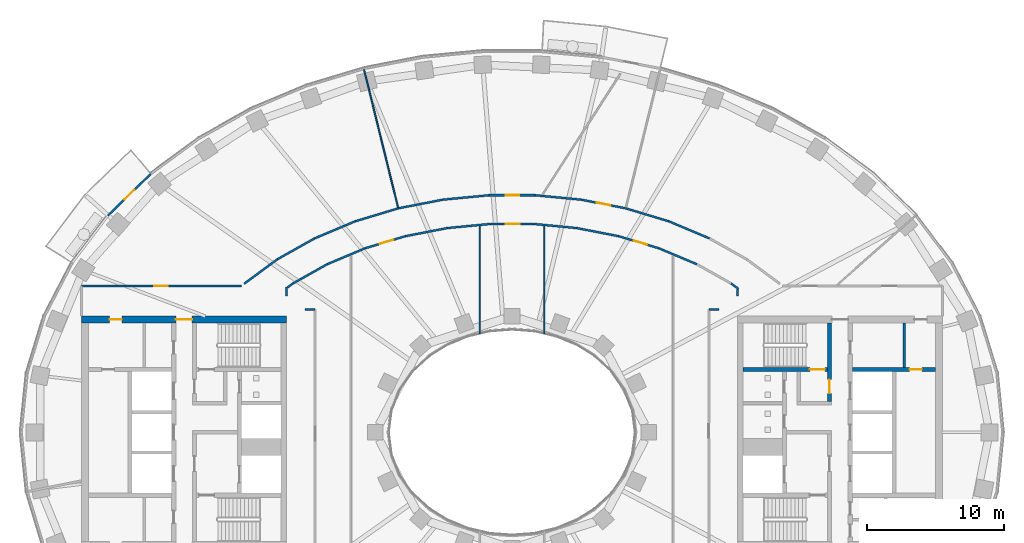
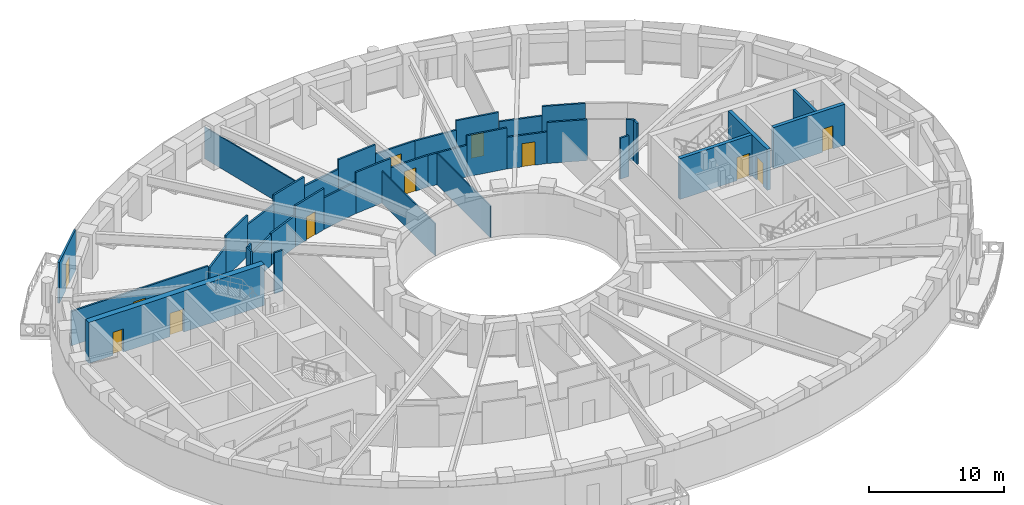
# One storey, part 6 of 16: 37 walls, 12 doors, 12 openings.
"""IFC4 building model written with IfcOpenShell, lengths in metres."""

from ifc_helpers import new_model, si_unit, direction, frame, frame_2d, origin, place, context, subcontext, project, spatial, rectangle, extrude, material, layer, layer_set, type_object, element, fill, save


model = new_model("IFC4")

# Units and contexts
model_context = context("Model", 3, precision=1e-05, world=origin(), true_north=direction((0.0, 1.0)))
body_context = subcontext(model_context, "Body", "Model", "MODEL_VIEW")
ifc_project = project(units=[si_unit("LENGTHUNIT", "METRE"), si_unit("AREAUNIT", "SQUARE_METRE"), si_unit("VOLUMEUNIT", "CUBIC_METRE"), si_unit("PLANEANGLEUNIT", "RADIAN"), si_unit("MASSUNIT", "GRAM", prefix="KILO")], contexts=[model_context])

# Site, building, storey
site_placement = place(None, origin())
site = spatial("IfcSite", under=ifc_project, at=site_placement, CompositionType="ELEMENT")
building_placement = place(site_placement, origin())
building = spatial("IfcBuilding", under=site, at=building_placement, Name="Noorbagh Ring Tower", CompositionType="ELEMENT")
storey_placement = place(building_placement, frame((0.0, 0.0, 136.0)))
storey = spatial("IfcBuildingStorey", under=building, at=storey_placement, Name="L31", CompositionType="ELEMENT", Elevation=136.0)

# Wall
ifc_material_1 = material(Name="Gypsum board on steel studs", Category="steel")
ifc_layer_1 = layer(ifc_material_1, 0.199951171875)
ifc_layer_set_1 = layer_set([ifc_layer_1], Name="Gypsum board on steel studs")
wall_type_1 = type_object("IfcWallType", Name="CORE-PARTITION-200", PredefinedType="PARTITIONING", material=ifc_layer_set_1)
wall_1_placement = place(storey_placement, frame((28.699951171875, 4.75, 0.0), z_axis=(0.0, 0.0, 1.0), x_axis=(0.0, 1.0, 0.0)))
element("IfcWall", 1, at=wall_1_placement, inside=storey, type_object=wall_type_1, Name="Core partition E", PredefinedType="PARTITIONING", context=body_context, shape_type="SweptSolid", body=[
    extrude(rectangle(XDim=3.25, YDim=0.199951171875, at=frame_2d((1.625, 0.0))), origin(), (0.0, 0.0, 1.0), 3.699951171875),
])

# Wall, opening, door
ifc_material_2 = material(Name="Concrete C70/85", Category="concrete")
ifc_layer_2 = layer(ifc_material_2, 0.300048828125)
ifc_layer_set_2 = layer_set([ifc_layer_2], Name="Concrete C70/85")
wall_type_2 = type_object("IfcWallType", Name="CORE-WALL-300-C70-85-EI240", PredefinedType="SHEAR", material=ifc_layer_set_2)
wall_2_placement = place(storey_placement, frame((24.89990234375, 4.60009765625, 0.0), z_axis=(0.0, 0.0, 1.0), x_axis=(1.0, 0.0, 0.0)))
wall_2 = element("IfcWall", 2, at=wall_2_placement, inside=storey, type_object=wall_type_2, Name="Core wall E", PredefinedType="SHEAR", context=body_context, shape_type="SweptSolid", body=[
    extrude(rectangle(XDim=6.10009765625, YDim=0.300048828125, at=frame_2d((3.050048828125, 0.0))), origin(), (0.0, 0.0, 1.0), 3.699951171875),
])
opening_1_placement = place(wall_2_placement, frame((4.199951171875, 0.0, 0.0)))
opening_1 = element("IfcOpeningElement", 3, at=opening_1_placement, cuts=wall_2, Name="Opening L31-CE18", PredefinedType="OPENING", context=body_context, shape_type="SweptSolid", body=[
    extrude(rectangle(XDim=0.89990234375, YDim=2.10009765625, at=frame_2d((0.449951171875, 1.050048828125))), frame((0.0, 0.16015625, 0.0), z_axis=(0.0, -1.0, 0.0), x_axis=(1.0, 0.0, 0.0)), (0.0, 0.0, 1.0), 0.320068359375),
])
ifc_material_3 = material(Name="Steel door leaf", Category="steel")
door_type_1 = type_object("IfcDoorType", Name="CORE-DOOR-DROOM", OperationType="SINGLE_SWING_LEFT", PredefinedType="DOOR", material=ifc_material_3)
door_1_placement = place(opening_1_placement, origin())
door_1 = element("IfcDoor", 4, at=door_1_placement, inside=storey, type_object=door_type_1, Name="Core room door L31-CE18", OperationType="SINGLE_SWING_RIGHT", OverallHeight=2.10009765625, OverallWidth=0.89990234375, PredefinedType="DOOR", context=body_context, shape_type="SweptSolid", body=[
    extrude(rectangle(XDim=0.89990234375, YDim=2.10009765625, at=frame_2d((0.449951171875, 1.050048828125))), frame((0.0, 0.02490234375, 0.0), z_axis=(0.0, -1.0, 0.0), x_axis=(1.0, 0.0, 0.0)), (0.0, 0.0, 1.0), 0.050048828125),
])
fill(opening_1, door_1)

wall_3_placement = place(storey_placement, frame((23.22998046875, 2.25, 0.0), z_axis=(0.0, 0.0, 1.0), x_axis=(0.0, 1.0, 0.0)))
wall_3 = element("IfcWall", 5, at=wall_3_placement, inside=storey, type_object=wall_type_2, Name="Core wall E", PredefinedType="SHEAR", context=body_context, shape_type="SweptSolid", body=[
    extrude(rectangle(XDim=5.75, YDim=0.300048828125, at=frame_2d((2.875, 0.0))), origin(), (0.0, 0.0, 1.0), 3.699951171875),
])
opening_2_placement = place(wall_3_placement, frame((0.60009765625, 0.0, 0.0)))
opening_2 = element("IfcOpeningElement", 6, at=opening_2_placement, cuts=wall_3, Name="Opening L31-CE08", PredefinedType="OPENING", context=body_context, shape_type="SweptSolid", body=[
    extrude(rectangle(XDim=1.0, YDim=2.10009765625, at=frame_2d((0.5, 1.050048828125))), frame((0.0, 0.16015625, 0.0), z_axis=(0.0, -1.0, 0.0), x_axis=(1.0, 0.0, 0.0)), (0.0, 0.0, 1.0), 0.320068359375),
])
ifc_material_4 = material(Name="Steel door leaf", Category="steel")
door_type_2 = type_object("IfcDoorType", Name="CORE-DOOR-DVEST", OperationType="SINGLE_SWING_LEFT", PredefinedType="DOOR", material=ifc_material_4)
door_2_placement = place(opening_2_placement, origin())
door_2 = element("IfcDoor", 7, at=door_2_placement, inside=storey, type_object=door_type_2, Name="Stair vestibule door L31-CE08", OperationType="SINGLE_SWING_RIGHT", OverallHeight=2.10009765625, OverallWidth=1.0, PredefinedType="DOOR", context=body_context, shape_type="SweptSolid", body=[
    extrude(rectangle(XDim=1.0, YDim=2.10009765625, at=frame_2d((0.5, 1.050048828125))), frame((0.0, 0.02490234375, 0.0), z_axis=(0.0, -1.0, 0.0), x_axis=(1.0, 0.0, 0.0)), (0.0, 0.0, 1.0), 0.050048828125),
])
fill(opening_2, door_2)

wall_4_placement = place(storey_placement, frame((16.89990234375, 4.60009765625, 0.0), z_axis=(0.0, 0.0, 1.0), x_axis=(1.0, 0.0, 0.0)))
wall_4 = element("IfcWall", 8, at=wall_4_placement, inside=storey, type_object=wall_type_2, Name="Core wall E", PredefinedType="SHEAR", context=body_context, shape_type="SweptSolid", body=[
    extrude(rectangle(XDim=6.18017578125, YDim=0.300048828125, at=frame_2d((3.090087890625, 0.0))), origin(), (0.0, 0.0, 1.0), 3.699951171875),
])
opening_3_placement = place(wall_4_placement, frame((4.89990234375, 0.0, 0.0)))
opening_3 = element("IfcOpeningElement", 9, at=opening_3_placement, cuts=wall_4, Name="Opening L31-CE05", PredefinedType="OPENING", context=body_context, shape_type="SweptSolid", body=[
    extrude(rectangle(XDim=1.10009765625, YDim=2.10009765625, at=frame_2d((0.550048828125, 1.050048828125))), frame((0.0, 0.16015625, 0.0), z_axis=(0.0, -1.0, 0.0), x_axis=(1.0, 0.0, 0.0)), (0.0, 0.0, 1.0), 0.320068359375),
])
ifc_material_5 = material(Name="Steel door leaf", Category="steel")
door_type_3 = type_object("IfcDoorType", Name="CORE-DOOR-DSTAIR", OperationType="SINGLE_SWING_LEFT", PredefinedType="DOOR", material=ifc_material_5)
door_3_placement = place(opening_3_placement, origin())
door_3 = element("IfcDoor", 10, at=door_3_placement, inside=storey, type_object=door_type_3, Name="Stair door ST3 L31-CE05", OperationType="SINGLE_SWING_LEFT", OverallHeight=2.10009765625, OverallWidth=1.10009765625, PredefinedType="DOOR", context=body_context, shape_type="SweptSolid", body=[
    extrude(rectangle(XDim=1.10009765625, YDim=2.10009765625, at=frame_2d((0.550048828125, 1.050048828125))), frame((0.0, 0.02490234375, 0.0), z_axis=(0.0, -1.0, 0.0), x_axis=(1.0, 0.0, 0.0)), (0.0, 0.0, 1.0), 0.050048828125),
])
fill(opening_3, door_3)

# Wall, openings, doors
ifc_material_6 = material(Name="Concrete C70/85", Category="concrete")
ifc_layer_3 = layer(ifc_material_6, 0.5)
ifc_layer_set_3 = layer_set([ifc_layer_3], Name="Concrete C70/85")
wall_type_3 = type_object("IfcWallType", Name="CORE-WALL-500-C70-85-EI240", PredefinedType="SHEAR", material=ifc_layer_set_3)
wall_5_placement = place(storey_placement, frame((-16.5, 8.25, 0.0), z_axis=(0.0, 0.0, 1.0), x_axis=(-1.0, 0.0, 0.0)))
wall_5 = element("IfcWall", 11, at=wall_5_placement, inside=storey, type_object=wall_type_3, Name="Core wall W", PredefinedType="SHEAR", context=body_context, shape_type="SweptSolid", body=[
    extrude(rectangle(XDim=15.0, YDim=0.5, at=frame_2d((7.5, 0.0))), origin(), (0.0, 0.0, 1.0), 3.699951171875),
])
opening_4_placement = place(wall_5_placement, frame((6.89990234375, 0.0, 0.0)))
opening_4 = element("IfcOpeningElement", 12, at=opening_4_placement, cuts=wall_5, Name="Opening L31-CW09", PredefinedType="OPENING", context=body_context, shape_type="SweptSolid", body=[
    extrude(rectangle(XDim=1.199951171875, YDim=2.10009765625, at=frame_2d((0.60009765625, 1.050048828125))), frame((0.0, 0.260009765625, 0.0), z_axis=(0.0, -1.0, 0.0), x_axis=(1.0, 0.0, 0.0)), (0.0, 0.0, 1.0), 0.52001953125),
])
opening_5_placement = place(wall_5_placement, frame((12.050048828125, 0.0, 0.0)))
opening_5 = element("IfcOpeningElement", 13, at=opening_5_placement, cuts=wall_5, Name="Opening L31-CW13", PredefinedType="OPENING", context=body_context, shape_type="SweptSolid", body=[
    extrude(rectangle(XDim=0.89990234375, YDim=2.10009765625, at=frame_2d((0.449951171875, 1.050048828125))), frame((0.0, 0.260009765625, 0.0), z_axis=(0.0, -1.0, 0.0), x_axis=(1.0, 0.0, 0.0)), (0.0, 0.0, 1.0), 0.52001953125),
])
door_4_placement = place(opening_5_placement, origin())
door_4 = element("IfcDoor", 14, at=door_4_placement, inside=storey, type_object=door_type_1, Name="Core room door L31-CW13", OperationType="SINGLE_SWING_RIGHT", OverallHeight=2.10009765625, OverallWidth=0.89990234375, PredefinedType="DOOR", context=body_context, shape_type="SweptSolid", body=[
    extrude(rectangle(XDim=0.89990234375, YDim=2.10009765625, at=frame_2d((0.449951171875, 1.050048828125))), frame((0.0, 0.02490234375, 0.0), z_axis=(0.0, -1.0, 0.0), x_axis=(1.0, 0.0, 0.0)), (0.0, 0.0, 1.0), 0.050048828125),
])
fill(opening_5, door_4)
ifc_material_7 = material(Name="Steel door leaf", Category="steel")
door_type_4 = type_object("IfcDoorType", Name="CORE-DOOR-PORT", OperationType="DOUBLE_DOOR_DOUBLE_SWING", PredefinedType="DOOR", material=ifc_material_7)
door_5_placement = place(opening_4_placement, origin())
door_5 = element("IfcDoor", 15, at=door_5_placement, inside=storey, type_object=door_type_4, Name="Core entrance door L31-CW09", OperationType="DOUBLE_DOOR_DOUBLE_SWING", OverallHeight=2.10009765625, OverallWidth=1.199951171875, PredefinedType="DOOR", context=body_context, shape_type="SweptSolid", body=[
    extrude(rectangle(XDim=1.199951171875, YDim=2.10009765625, at=frame_2d((0.60009765625, 1.050048828125))), frame((0.0, 0.02490234375, 0.0), z_axis=(0.0, -1.0, 0.0), x_axis=(1.0, 0.0, 0.0)), (0.0, 0.0, 1.0), 0.050048828125),
])
fill(opening_4, door_5)

# Wall, opening, door
ifc_material_8 = material(Name="Gypsum board on steel studs", Category="steel")
ifc_layer_4 = layer(ifc_material_8, 0.14990234375)
ifc_layer_set_4 = layer_set([ifc_layer_4], Name="Gypsum board on steel studs")
wall_type_4 = type_object("IfcWallType", Name="CORRIDOR PARTITION 150 EI 30", PredefinedType="PARTITIONING", material=ifc_layer_set_4)
wall_6_placement = place(storey_placement, frame((-31.5, 10.699951171875, 0.0), z_axis=(0.0, 0.0, 1.0), x_axis=(1.0, 0.0, 0.0)))
wall_6 = element("IfcWall", 16, at=wall_6_placement, inside=storey, type_object=wall_type_4, Name="L31/wall/P06", PredefinedType="PARTITIONING", context=body_context, shape_type="SweptSolid", body=[
    extrude(rectangle(XDim=11.722900390625, YDim=0.14990234375, at=frame_2d((5.861328125, 0.0))), origin(), (0.0, 0.0, 1.0), 3.10009765625),
])
opening_6_placement = place(wall_6_placement, frame((5.322998046875, 0.0, 0.0)))
opening_6 = element("IfcOpeningElement", 17, at=opening_6_placement, cuts=wall_6, Name="Opening D1", PredefinedType="OPENING", context=body_context, shape_type="SweptSolid", body=[
    extrude(rectangle(XDim=1.0, YDim=2.10009765625, at=frame_2d((0.5, 1.050048828125))), frame((0.0, 0.0849609375, 0.0), z_axis=(0.0, -1.0, 0.0), x_axis=(1.0, 0.0, 0.0)), (0.0, 0.0, 1.0), 0.169921875),
])
ifc_material_9 = material(Name="Timber, painted", Category="wood")
door_type_5 = type_object("IfcDoorType", Name="DOOR 1000 X 2100 FD30", OperationType="SINGLE_SWING_LEFT", PredefinedType="DOOR", material=ifc_material_9)
door_6_placement = place(opening_6_placement, origin())
door_6 = element("IfcDoor", 18, at=door_6_placement, inside=storey, type_object=door_type_5, Name="L31-D06", OperationType="SINGLE_SWING_RIGHT", OverallHeight=2.10009765625, OverallWidth=1.0, PredefinedType="DOOR", context=body_context, shape_type="SweptSolid", body=[
    extrude(rectangle(XDim=1.0, YDim=2.10009765625, at=frame_2d((0.5, 1.050048828125))), frame((0.0, 0.02490234375, 0.0), z_axis=(0.0, -1.0, 0.0), x_axis=(1.0, 0.0, 0.0)), (0.0, 0.0, 1.0), 0.050048828125),
])
fill(opening_6, door_6)

# Walls
wall_7_placement = place(storey_placement, frame((-19.594970703125, 10.876953125, 0.0), z_axis=(0.0, 0.0, 1.0), x_axis=(0.805151708762, 0.593068904831, 0.0)))
element("IfcWall", 19, at=wall_7_placement, inside=storey, type_object=wall_type_4, Name="L31/wall/P16", PredefinedType="PARTITIONING", context=body_context, shape_type="SweptSolid", body=[
    extrude(rectangle(XDim=3.008056640625, YDim=0.14990234375, at=frame_2d((1.50390625, 0.0))), origin(), (0.0, 0.0, 1.0), 2.75),
])
wall_8_placement = place(storey_placement, frame((-17.173095703125, 12.660888671875, 0.0), z_axis=(0.0, 0.0, 1.0), x_axis=(0.872054495499, 0.489408783003, 0.0)))
element("IfcWall", 20, at=wall_8_placement, inside=storey, type_object=wall_type_4, Name="L31/wall/P18", PredefinedType="PARTITIONING", context=body_context, shape_type="SweptSolid", body=[
    extrude(rectangle(XDim=3.128173828125, YDim=0.14990234375, at=frame_2d((1.56396484375, 0.0))), origin(), (0.0, 0.0, 1.0), 3.699951171875),
])
wall_9_placement = place(storey_placement, frame((-16.5, 9.964111328125, 0.0), z_axis=(0.0, 0.0, 1.0), x_axis=(0.0, 1.0, 0.0)))
element("IfcWall", 21, at=wall_9_placement, inside=storey, type_object=wall_type_4, Name="L31/wall/P21", PredefinedType="PARTITIONING", context=body_context, shape_type="SweptSolid", body=[
    extrude(rectangle(XDim=0.677978515625, YDim=0.14990234375, at=frame_2d((0.3388671875, 0.0))), origin(), (0.0, 0.0, 1.0), 3.699951171875),
])
wall_10_placement = place(storey_placement, frame((-16.425048828125, 10.60400390625, 0.0), z_axis=(0.0, 0.0, 1.0), x_axis=(0.805608867586, 0.592447763492, 0.0)))
element("IfcWall", 22, at=wall_10_placement, inside=storey, type_object=wall_type_4, Name="L31/wall/P22", PredefinedType="PARTITIONING", context=body_context, shape_type="SweptSolid", body=[
    extrude(rectangle(XDim=0.48779296875, YDim=0.14990234375, at=frame_2d((0.243896484375, 0.0))), origin(), (0.0, 0.0, 1.0), 3.699951171875),
])
wall_11_placement = place(storey_placement, frame((-16.031982421875, 10.89306640625, 0.0), z_axis=(0.0, 0.0, 1.0), x_axis=(0.871948863789, 0.489596955604, 0.0)))
element("IfcWall", 23, at=wall_11_placement, inside=storey, type_object=wall_type_4, Name="L31/wall/P24", PredefinedType="PARTITIONING", context=body_context, shape_type="SweptSolid", body=[
    extrude(rectangle(XDim=2.879638671875, YDim=0.14990234375, at=frame_2d((1.43994140625, 0.0))), origin(), (0.0, 0.0, 1.0), 2.75),
])
wall_12_placement = place(storey_placement, frame((-15.134033203125, 9.0, 0.0), z_axis=(0.0, 0.0, 1.0), x_axis=(1.0, 0.0, 0.0)))
element("IfcWall", 24, at=wall_12_placement, inside=storey, type_object=wall_type_4, Name="L31/wall/P26", PredefinedType="PARTITIONING", context=body_context, shape_type="SweptSolid", body=[
    extrude(rectangle(XDim=0.734130859375, YDim=0.14990234375, at=frame_2d((0.3671875, 0.0))), origin(), (0.0, 0.0, 1.0), 3.699951171875),
])
wall_13_placement = place(storey_placement, frame((-14.445068359375, 14.19189453125, 0.0), z_axis=(0.0, 0.0, 1.0), x_axis=(0.921794929211, 0.387677841101, 0.0)))
element("IfcWall", 25, at=wall_13_placement, inside=storey, type_object=wall_type_4, Name="L31/wall/P28", PredefinedType="PARTITIONING", context=body_context, shape_type="SweptSolid", body=[
    extrude(rectangle(XDim=3.224365234375, YDim=0.14990234375, at=frame_2d((1.6123046875, 0.0))), origin(), (0.0, 0.0, 1.0), 2.85009765625),
])
wall_14_placement = place(storey_placement, frame((-13.52099609375, 12.302978515625, 0.0), z_axis=(0.0, 0.0, 1.0), x_axis=(0.921848667289, 0.387550041438, 0.0)))
element("IfcWall", 26, at=wall_14_placement, inside=storey, type_object=wall_type_4, Name="L31/wall/P31", PredefinedType="PARTITIONING", context=body_context, shape_type="SweptSolid", body=[
    extrude(rectangle(XDim=2.992919921875, YDim=0.14990234375, at=frame_2d((1.49658203125, 0.0))), origin(), (0.0, 0.0, 1.0), 2.85009765625),
])
wall_15_placement = place(storey_placement, frame((-11.472900390625, 15.44189453125, 0.0), z_axis=(0.0, 0.0, 1.0), x_axis=(0.957575426962, 0.288182757429, 0.0)))
element("IfcWall", 27, at=wall_15_placement, inside=storey, type_object=wall_type_4, Name="L31/wall/P34", PredefinedType="PARTITIONING", context=body_context, shape_type="SweptSolid", body=[
    extrude(rectangle(XDim=3.272705078125, YDim=0.14990234375, at=frame_2d((1.63623046875, 0.0))), origin(), (0.0, 0.0, 1.0), 3.699951171875),
])

# Wall, opening, door
wall_16_placement = place(storey_placement, frame((-10.761962890625, 13.462890625, 0.0), z_axis=(0.0, 0.0, 1.0), x_axis=(0.957609782402, 0.288068576292, 0.0)))
wall_16 = element("IfcWall", 28, at=wall_16_placement, inside=storey, type_object=wall_type_4, Name="L31/wall/P37", PredefinedType="PARTITIONING", context=body_context, shape_type="SweptSolid", body=[
    extrude(rectangle(XDim=3.076416015625, YDim=0.14990234375, at=frame_2d((1.5380859375, 0.0))), origin(), (0.0, 0.0, 1.0), 3.699951171875),
])
opening_7_placement = place(wall_16_placement, frame((1.14990234375, 0.0, 0.0)))
opening_7 = element("IfcOpeningElement", 29, at=opening_7_placement, cuts=wall_16, Name="Opening D1", PredefinedType="OPENING", context=body_context, shape_type="SweptSolid", body=[
    extrude(rectangle(XDim=1.0, YDim=2.10009765625, at=frame_2d((0.5, 1.050048828125))), frame((0.0, 0.0849609375, 0.0), z_axis=(0.0, -1.0, 0.0), x_axis=(1.0, 0.0, 0.0)), (0.0, 0.0, 1.0), 0.169921875),
])
door_7_placement = place(opening_7_placement, origin())
door_7 = element("IfcDoor", 30, at=door_7_placement, inside=storey, type_object=door_type_5, Name="L31-D15", OperationType="SINGLE_SWING_LEFT", OverallHeight=2.10009765625, OverallWidth=1.0, PredefinedType="DOOR", context=body_context, shape_type="SweptSolid", body=[
    extrude(rectangle(XDim=1.0, YDim=2.10009765625, at=frame_2d((0.5, 1.050048828125))), frame((0.0, 0.02490234375, 0.0), z_axis=(0.0, -1.0, 0.0), x_axis=(1.0, 0.0, 0.0)), (0.0, 0.0, 1.0), 0.050048828125),
])
fill(opening_7, door_7)

# Walls
wall_17_placement = place(storey_placement, frame((-8.301025390625, 16.39501953125, 0.0), z_axis=(0.0, 0.0, 1.0), x_axis=(0.98166242116, 0.19062762361, 0.0)))
element("IfcWall", 31, at=wall_17_placement, inside=storey, type_object=wall_type_4, Name="L31/wall/P39", PredefinedType="PARTITIONING", context=body_context, shape_type="SweptSolid", body=[
    extrude(rectangle(XDim=3.32080078125, YDim=0.14990234375, at=frame_2d((1.660400390625, 0.0))), origin(), (0.0, 0.0, 1.0), 2.85009765625),
])
wall_18_placement = place(storey_placement, frame((-7.81591796875, 14.34912109375, 0.0), z_axis=(0.0, 0.0, 1.0), x_axis=(0.981627147181, 0.190809181955, 0.0)))
element("IfcWall", 32, at=wall_18_placement, inside=storey, type_object=wall_type_4, Name="L31/wall/P41", PredefinedType="PARTITIONING", context=body_context, shape_type="SweptSolid", body=[
    extrude(rectangle(XDim=3.133544921875, YDim=0.14990234375, at=frame_2d((1.56689453125, 0.0))), origin(), (0.0, 0.0, 1.0), 2.85009765625),
])
wall_19_placement = place(storey_placement, frame((-5.041015625, 17.028076171875, 0.0), z_axis=(0.0, 0.0, 1.0), x_axis=(0.99548178004, 0.094952754613, 0.0)))
element("IfcWall", 33, at=wall_19_placement, inside=storey, type_object=wall_type_4, Name="L31/wall/P43", PredefinedType="PARTITIONING", context=body_context, shape_type="SweptSolid", body=[
    extrude(rectangle(XDim=3.3681640625, YDim=0.14990234375, at=frame_2d((1.68408203125, 0.0))), origin(), (0.0, 0.0, 1.0), 3.699951171875),
])
wall_20_placement = place(storey_placement, frame((-4.739990234375, 14.947021484375, 0.0), z_axis=(0.0, 0.0, 1.0), x_axis=(0.995467349369, 0.095103923894, 0.0)))
element("IfcWall", 34, at=wall_20_placement, inside=storey, type_object=wall_type_4, Name="L31/wall/P45", PredefinedType="PARTITIONING", context=body_context, shape_type="SweptSolid", body=[
    extrude(rectangle(XDim=3.165283203125, YDim=0.14990234375, at=frame_2d((1.58251953125, 0.0))), origin(), (0.0, 0.0, 1.0), 3.699951171875),
])

# Wall, opening, door
wall_21_placement = place(storey_placement, frame((-1.68798828125, 17.347900390625, 0.0), z_axis=(0.0, 0.0, 1.0), x_axis=(1.0, 0.0, 0.0)))
wall_21 = element("IfcWall", 35, at=wall_21_placement, inside=storey, type_object=wall_type_4, Name="L31/wall/P51", PredefinedType="PARTITIONING", context=body_context, shape_type="SweptSolid", body=[
    extrude(rectangle(XDim=3.3759765625, YDim=0.14990234375, at=frame_2d((1.68798828125, 0.0))), origin(), (0.0, 0.0, 1.0), 2.85009765625),
])
opening_8_placement = place(wall_21_placement, frame((1.22607421875, 0.0, 0.0)))
opening_8 = element("IfcOpeningElement", 36, at=opening_8_placement, cuts=wall_21, Name="Opening D1", PredefinedType="OPENING", context=body_context, shape_type="SweptSolid", body=[
    extrude(rectangle(XDim=1.0, YDim=2.10009765625, at=frame_2d((0.5, 1.050048828125))), frame((0.0, 0.0849609375, 0.0), z_axis=(0.0, -1.0, 0.0), x_axis=(1.0, 0.0, 0.0)), (0.0, 0.0, 1.0), 0.169921875),
])
door_8_placement = place(opening_8_placement, origin())
door_8 = element("IfcDoor", 37, at=door_8_placement, inside=storey, type_object=door_type_5, Name="L31-D08", OperationType="SINGLE_SWING_RIGHT", OverallHeight=2.10009765625, OverallWidth=1.0, PredefinedType="DOOR", context=body_context, shape_type="SweptSolid", body=[
    extrude(rectangle(XDim=1.0, YDim=2.10009765625, at=frame_2d((0.5, 1.050048828125))), frame((0.0, 0.02490234375, 0.0), z_axis=(0.0, -1.0, 0.0), x_axis=(1.0, 0.0, 0.0)), (0.0, 0.0, 1.0), 0.050048828125),
])
fill(opening_8, door_8)

wall_22_placement = place(storey_placement, frame((-1.589111328125, 15.248046875, 0.0), z_axis=(0.0, 0.0, 1.0), x_axis=(1.0, 0.0, 0.0)))
wall_22 = element("IfcWall", 38, at=wall_22_placement, inside=storey, type_object=wall_type_4, Name="L31/wall/P53", PredefinedType="PARTITIONING", context=body_context, shape_type="SweptSolid", body=[
    extrude(rectangle(XDim=3.17822265625, YDim=0.14990234375, at=frame_2d((1.589111328125, 0.0))), origin(), (0.0, 0.0, 1.0), 2.85009765625),
])
opening_9_placement = place(wall_22_placement, frame((1.14990234375, 0.0, 0.0)))
opening_9 = element("IfcOpeningElement", 39, at=opening_9_placement, cuts=wall_22, Name="Opening D1", PredefinedType="OPENING", context=body_context, shape_type="SweptSolid", body=[
    extrude(rectangle(XDim=1.0, YDim=2.10009765625, at=frame_2d((0.5, 1.050048828125))), frame((0.0, 0.0849609375, 0.0), z_axis=(0.0, -1.0, 0.0), x_axis=(1.0, 0.0, 0.0)), (0.0, 0.0, 1.0), 0.169921875),
])
door_9_placement = place(opening_9_placement, origin())
door_9 = element("IfcDoor", 40, at=door_9_placement, inside=storey, type_object=door_type_5, Name="L31-D17", OperationType="SINGLE_SWING_LEFT", OverallHeight=2.10009765625, OverallWidth=1.0, PredefinedType="DOOR", context=body_context, shape_type="SweptSolid", body=[
    extrude(rectangle(XDim=1.0, YDim=2.10009765625, at=frame_2d((0.5, 1.050048828125))), frame((0.0, 0.02490234375, 0.0), z_axis=(0.0, -1.0, 0.0), x_axis=(1.0, 0.0, 0.0)), (0.0, 0.0, 1.0), 0.050048828125),
])
fill(opening_9, door_9)

# Walls
wall_23_placement = place(storey_placement, frame((1.589111328125, 15.248046875, 0.0), z_axis=(0.0, 0.0, 1.0), x_axis=(0.995467349369, -0.095103923894, 0.0)))
element("IfcWall", 41, at=wall_23_placement, inside=storey, type_object=wall_type_4, Name="L31/wall/P56", PredefinedType="PARTITIONING", context=body_context, shape_type="SweptSolid", body=[
    extrude(rectangle(XDim=3.165283203125, YDim=0.14990234375, at=frame_2d((1.58251953125, 0.0))), origin(), (0.0, 0.0, 1.0), 2.85009765625),
])
wall_24_placement = place(storey_placement, frame((1.68798828125, 17.347900390625, 0.0), z_axis=(0.0, 0.0, 1.0), x_axis=(0.99548178004, -0.094952754613, 0.0)))
element("IfcWall", 42, at=wall_24_placement, inside=storey, type_object=wall_type_4, Name="L31/wall/P58", PredefinedType="PARTITIONING", context=body_context, shape_type="SweptSolid", body=[
    extrude(rectangle(XDim=3.3681640625, YDim=0.14990234375, at=frame_2d((1.68408203125, 0.0))), origin(), (0.0, 0.0, 1.0), 2.85009765625),
])
wall_25_placement = place(storey_placement, frame((4.739990234375, 14.947021484375, 0.0), z_axis=(0.0, 0.0, 1.0), x_axis=(0.981627147181, -0.190809181955, 0.0)))
element("IfcWall", 43, at=wall_25_placement, inside=storey, type_object=wall_type_4, Name="L31/wall/P63", PredefinedType="PARTITIONING", context=body_context, shape_type="SweptSolid", body=[
    extrude(rectangle(XDim=3.133544921875, YDim=0.14990234375, at=frame_2d((1.56689453125, 0.0))), origin(), (0.0, 0.0, 1.0), 3.699951171875),
])

# Wall, opening, door
wall_26_placement = place(storey_placement, frame((5.041015625, 17.028076171875, 0.0), z_axis=(0.0, 0.0, 1.0), x_axis=(0.98166242116, -0.19062762361, 0.0)))
wall_26 = element("IfcWall", 44, at=wall_26_placement, inside=storey, type_object=wall_type_4, Name="L31/wall/P65", PredefinedType="PARTITIONING", context=body_context, shape_type="SweptSolid", body=[
    extrude(rectangle(XDim=3.32080078125, YDim=0.14990234375, at=frame_2d((1.660400390625, 0.0))), origin(), (0.0, 0.0, 1.0), 3.699951171875),
])
opening_10_placement = place(wall_26_placement, frame((1.190185546875, 0.0, 0.0)))
opening_10 = element("IfcOpeningElement", 45, at=opening_10_placement, cuts=wall_26, Name="Opening D1", PredefinedType="OPENING", context=body_context, shape_type="SweptSolid", body=[
    extrude(rectangle(XDim=1.0, YDim=2.10009765625, at=frame_2d((0.5, 1.050048828125))), frame((0.0, 0.0849609375, 0.0), z_axis=(0.0, -1.0, 0.0), x_axis=(1.0, 0.0, 0.0)), (0.0, 0.0, 1.0), 0.169921875),
])
door_10_placement = place(opening_10_placement, origin())
door_10 = element("IfcDoor", 46, at=door_10_placement, inside=storey, type_object=door_type_5, Name="L31-D10", OperationType="SINGLE_SWING_RIGHT", OverallHeight=2.10009765625, OverallWidth=1.0, PredefinedType="DOOR", context=body_context, shape_type="SweptSolid", body=[
    extrude(rectangle(XDim=1.0, YDim=2.10009765625, at=frame_2d((0.5, 1.050048828125))), frame((0.0, 0.02490234375, 0.0), z_axis=(0.0, -1.0, 0.0), x_axis=(1.0, 0.0, 0.0)), (0.0, 0.0, 1.0), 0.050048828125),
])
fill(opening_10, door_10)

wall_27_placement = place(storey_placement, frame((7.81591796875, 14.34912109375, 0.0), z_axis=(0.0, 0.0, 1.0), x_axis=(0.957609782402, -0.288068576292, 0.0)))
wall_27 = element("IfcWall", 47, at=wall_27_placement, inside=storey, type_object=wall_type_4, Name="L31/wall/P67", PredefinedType="PARTITIONING", context=body_context, shape_type="SweptSolid", body=[
    extrude(rectangle(XDim=3.076416015625, YDim=0.14990234375, at=frame_2d((1.5380859375, 0.0))), origin(), (0.0, 0.0, 1.0), 2.85009765625),
])
opening_11_placement = place(wall_27_placement, frame((1.14990234375, 0.0, 0.0)))
opening_11 = element("IfcOpeningElement", 48, at=opening_11_placement, cuts=wall_27, Name="Opening D1", PredefinedType="OPENING", context=body_context, shape_type="SweptSolid", body=[
    extrude(rectangle(XDim=1.0, YDim=2.10009765625, at=frame_2d((0.5, 1.050048828125))), frame((0.0, 0.0849609375, 0.0), z_axis=(0.0, -1.0, 0.0), x_axis=(1.0, 0.0, 0.0)), (0.0, 0.0, 1.0), 0.169921875),
])
door_11_placement = place(opening_11_placement, origin())
door_11 = element("IfcDoor", 49, at=door_11_placement, inside=storey, type_object=door_type_5, Name="L31-D18", OperationType="SINGLE_SWING_RIGHT", OverallHeight=2.10009765625, OverallWidth=1.0, PredefinedType="DOOR", context=body_context, shape_type="SweptSolid", body=[
    extrude(rectangle(XDim=1.0, YDim=2.10009765625, at=frame_2d((0.5, 1.050048828125))), frame((0.0, 0.02490234375, 0.0), z_axis=(0.0, -1.0, 0.0), x_axis=(1.0, 0.0, 0.0)), (0.0, 0.0, 1.0), 0.050048828125),
])
fill(opening_11, door_11)

# Walls
wall_28_placement = place(storey_placement, frame((8.339111328125, 16.385009765625, 0.0), z_axis=(0.0, 0.0, 1.0), x_axis=(0.957575426962, -0.288182757429, 0.0)))
element("IfcWall", 50, at=wall_28_placement, inside=storey, type_object=wall_type_4, Name="L31/wall/P70", PredefinedType="PARTITIONING", context=body_context, shape_type="SweptSolid", body=[
    extrude(rectangle(XDim=3.272705078125, YDim=0.14990234375, at=frame_2d((1.63623046875, 0.0))), origin(), (0.0, 0.0, 1.0), 2.85009765625),
])
wall_29_placement = place(storey_placement, frame((10.761962890625, 13.462890625, 0.0), z_axis=(0.0, 0.0, 1.0), x_axis=(0.921848667289, -0.387550041438, 0.0)))
element("IfcWall", 51, at=wall_29_placement, inside=storey, type_object=wall_type_4, Name="L31/wall/P72", PredefinedType="PARTITIONING", context=body_context, shape_type="SweptSolid", body=[
    extrude(rectangle(XDim=2.992919921875, YDim=0.14990234375, at=frame_2d((1.49658203125, 0.0))), origin(), (0.0, 0.0, 1.0), 3.699951171875),
])
wall_30_placement = place(storey_placement, frame((11.472900390625, 15.44189453125, 0.0), z_axis=(0.0, 0.0, 1.0), x_axis=(0.921794929211, -0.387677841101, 0.0)))
element("IfcWall", 52, at=wall_30_placement, inside=storey, type_object=wall_type_4, Name="L31/wall/P74", PredefinedType="PARTITIONING", context=body_context, shape_type="SweptSolid", body=[
    extrude(rectangle(XDim=3.224365234375, YDim=0.14990234375, at=frame_2d((1.6123046875, 0.0))), origin(), (0.0, 0.0, 1.0), 3.699951171875),
])
wall_31_placement = place(storey_placement, frame((14.39990234375, 9.0, 0.0), z_axis=(0.0, 0.0, 1.0), x_axis=(1.0, 0.0, 0.0)))
element("IfcWall", 53, at=wall_31_placement, inside=storey, type_object=wall_type_4, Name="L31/wall/P80", PredefinedType="PARTITIONING", context=body_context, shape_type="SweptSolid", body=[
    extrude(rectangle(XDim=0.734130859375, YDim=0.14990234375, at=frame_2d((0.3671875, 0.0))), origin(), (0.0, 0.0, 1.0), 3.699951171875),
])
wall_32_placement = place(storey_placement, frame((16.031982421875, 10.89306640625, 0.0), z_axis=(0.0, 0.0, 1.0), x_axis=(0.805701862575, -0.592321288359, 0.0)))
element("IfcWall", 54, at=wall_32_placement, inside=storey, type_object=wall_type_4, Name="L31/wall/P85", PredefinedType="PARTITIONING", context=body_context, shape_type="SweptSolid", body=[
    extrude(rectangle(XDim=0.673828125, YDim=0.14990234375, at=frame_2d((0.3369140625, 0.0))), origin(), (0.0, 0.0, 1.0), 3.699951171875),
])
wall_33_placement = place(storey_placement, frame((16.5, 9.964111328125, 0.0), z_axis=(0.0, 0.0, 1.0), x_axis=(0.0, 1.0, 0.0)))
element("IfcWall", 55, at=wall_33_placement, inside=storey, type_object=wall_type_4, Name="L31/wall/P87", PredefinedType="PARTITIONING", context=body_context, shape_type="SweptSolid", body=[
    extrude(rectangle(XDim=0.491943359375, YDim=0.14990234375, at=frame_2d((0.24609375, 0.0))), origin(), (0.0, 0.0, 1.0), 3.699951171875),
])

# Wall, opening, door
ifc_material_10 = material(Name="Insulated aluminium clad panel", Category="aluminium")
ifc_layer_5 = layer(ifc_material_10, 0.14990234375)
ifc_layer_set_5 = layer_set([ifc_layer_5], Name="Insulated aluminium clad panel")
wall_type_5 = type_object("IfcWallType", Name="ENV-WALL-DOOR", PredefinedType="STANDARD", material=ifc_layer_set_5)
wall_34_placement = place(storey_placement, frame((-26.396484375, 18.943359375, 0.0), z_axis=(0.0, 0.0, 1.0), x_axis=(-0.717214761864, -0.696852197647, 0.0)))
wall_34 = element("IfcWall", 56, at=wall_34_placement, inside=storey, type_object=wall_type_5, Name="Balcony door wall chord 19", PredefinedType="STANDARD", context=body_context, shape_type="SweptSolid", body=[
    extrude(rectangle(XDim=4.424072265625, YDim=0.14990234375, at=frame_2d((2.2119140625, 0.0))), origin(), (0.0, 0.0, 1.0), 3.699951171875),
])
opening_12_placement = place(wall_34_placement, frame((1.712158203125, 0.0, 0.0)))
opening_12 = element("IfcOpeningElement", 57, at=opening_12_placement, cuts=wall_34, Name="Opening D-BL", PredefinedType="OPENING", context=body_context, shape_type="SweptSolid", body=[
    extrude(rectangle(XDim=1.0, YDim=2.39990234375, at=frame_2d((0.5, 1.199951171875))), frame((0.0, 0.0849609375, 0.0), z_axis=(0.0, -1.0, 0.0), x_axis=(1.0, 0.0, 0.0)), (0.0, 0.0, 1.0), 0.169921875),
])
ifc_material_11 = material(Name="Aluminium and glass", Category="aluminium")
door_type_6 = type_object("IfcDoorType", Name="ENV-DOOR-BALCONY", OperationType="SINGLE_SWING_LEFT", PredefinedType="DOOR", material=ifc_material_11)
door_12_placement = place(opening_12_placement, origin())
door_12 = element("IfcDoor", 58, at=door_12_placement, inside=storey, type_object=door_type_6, Name="Balcony door chord 19", OperationType="SINGLE_SWING_RIGHT", OverallHeight=2.39990234375, OverallWidth=1.0, PredefinedType="DOOR", context=body_context, shape_type="SweptSolid", body=[
    extrude(rectangle(XDim=1.0, YDim=2.39990234375, at=frame_2d((0.5, 1.199951171875))), frame((0.0, 0.02490234375, 0.0), z_axis=(0.0, -1.0, 0.0), x_axis=(1.0, 0.0, 0.0)), (0.0, 0.0, 1.0), 0.050048828125),
])
fill(opening_12, door_12)

# Walls
ifc_material_12 = material(Name="Gypsum board on steel studs", Category="steel")
ifc_layer_6 = layer(ifc_material_12, 0.10009765625)
ifc_layer_set_6 = layer_set([ifc_layer_6], Name="Gypsum board on steel studs")
wall_type_6 = type_object("IfcWallType", Name="PARTITION 100 GYPSUM", PredefinedType="PARTITIONING", material=ifc_layer_set_6)
wall_35_placement = place(storey_placement, frame((-10.85302734375, 26.64599609375, 0.0), z_axis=(0.0, 0.0, 1.0), x_axis=(0.239771193985, -0.970829426076, 0.0)))
element("IfcWall", 59, at=wall_35_placement, inside=storey, type_object=wall_type_6, Name="L31/wall/P35", PredefinedType="PARTITIONING", context=body_context, shape_type="SweptSolid", body=[
    extrude(rectangle(XDim=10.56005859375, YDim=0.10009765625, at=frame_2d((5.280029296875, 0.0))), origin(), (0.0, 0.0, 1.0), 2.85009765625),
])
wall_36_placement = place(storey_placement, frame((-2.35693359375, 7.2099609375, 0.0), z_axis=(0.0, 0.0, 1.0), x_axis=(0.0, 1.0, 0.0)))
element("IfcWall", 60, at=wall_36_placement, inside=storey, type_object=wall_type_6, Name="L31/wall/P48", PredefinedType="PARTITIONING", context=body_context, shape_type="SweptSolid", body=[
    extrude(rectangle(XDim=7.885986328125, YDim=0.10009765625, at=frame_2d((3.94287109375, 0.0))), origin(), (0.0, 0.0, 1.0), 2.89990234375),
])
wall_37_placement = place(storey_placement, frame((2.35693359375, 7.2099609375, 0.0), z_axis=(0.0, 0.0, 1.0), x_axis=(0.0, 1.0, 0.0)))
element("IfcWall", 61, at=wall_37_placement, inside=storey, type_object=wall_type_6, Name="L31/wall/P61", PredefinedType="PARTITIONING", context=body_context, shape_type="SweptSolid", body=[
    extrude(rectangle(XDim=7.885986328125, YDim=0.10009765625, at=frame_2d((3.94287109375, 0.0))), origin(), (0.0, 0.0, 1.0), 2.85009765625),
])

save(model, "model.ifc")
